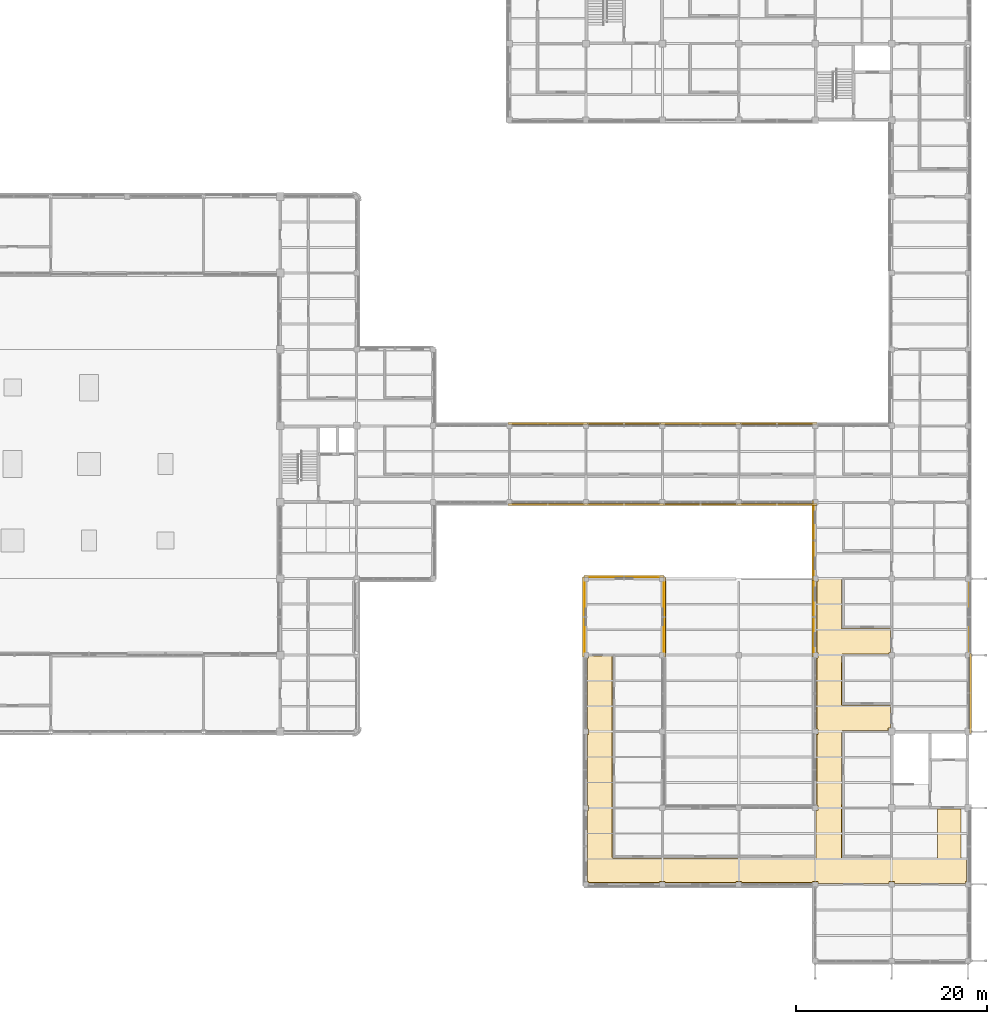
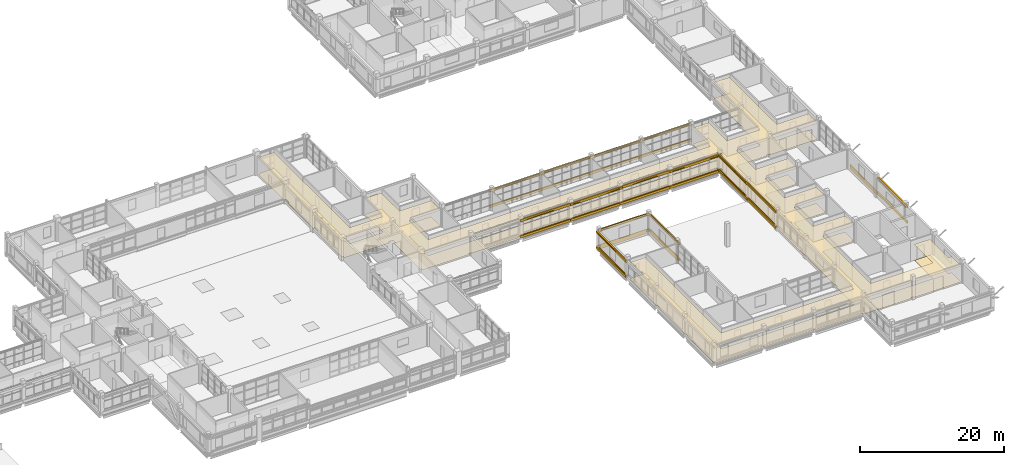
# One storey, part 103 of 107: 36 coverings, 15 shading devices.
"""IFC4 building model written with IfcOpenShell, lengths in metres."""

from ifc_helpers import new_model, si_unit, derived_unit, direction, frame, origin, origin_2d, place, context, subcontext, project, spatial, polyline, rectangle, circle, outline, extrude, material, layer, layer_set, material_profile, profile_set, type_object, element, save


model = new_model("IFC4")

# Units and contexts
model_context = context("Model", 3, precision=1e-05, world=origin(), true_north=direction((0.0, 1.0)))
body_context = subcontext(model_context, "Body", "Model", "MODEL_VIEW")
ifc_project = project(units=[si_unit("LENGTHUNIT", "METRE"), si_unit("AREAUNIT", "SQUARE_METRE"), si_unit("VOLUMEUNIT", "CUBIC_METRE"), si_unit("PLANEANGLEUNIT", "RADIAN"), si_unit("MASSUNIT", "GRAM", prefix="KILO"), derived_unit("THERMALTRANSMITTANCEUNIT", [(si_unit("MASSUNIT", "GRAM", prefix="KILO"), 1), (si_unit("TIMEUNIT", "SECOND"), -3), (si_unit("THERMODYNAMICTEMPERATUREUNIT", "KELVIN"), -1)])], contexts=[model_context])

# Site, building, storey
site_placement = place(None, origin())
site = spatial("IfcSite", under=ifc_project, at=site_placement, CompositionType="ELEMENT")
building_placement = place(site_placement, origin())
building = spatial("IfcBuilding", under=site, at=building_placement, Name="Veyamyaing Civic Hall", CompositionType="ELEMENT")
storey_placement = place(building_placement, frame((0.0, 0.0, 13.860107421875)))
storey = spatial("IfcBuildingStorey", under=building, at=storey_placement, Name="L03", CompositionType="ELEMENT", Elevation=13.860107421875)

# Coverings
ifc_material_1 = material(Name="Buff sandstone ashlar cladding", Category="masonry")
ifc_layer_1 = layer(ifc_material_1, 0.050048828125, Name="Buff sandstone ashlar cladding")
ifc_layer_set_1 = layer_set([ifc_layer_1], Name="Buff sandstone ashlar cladding")
covering_type_1 = type_object("IfcCoveringType", Name="CL-01", PredefinedType="CLADDING", material=ifc_layer_set_1)
for number, where, z_axis, x_axis, name in (
    (1, (140.0, 40.156005859375, 0.044921875), (0.0, 0.0, 1.0), (1.0, 0.0, 0.0), "Facade spandrel cladding CL-01 L03 N 18.5"),
    (2, (135.843994140625, 36.0, 0.044921875), (0.0, 0.0, 1.0), (0.0, 1.0, 0.0), "Facade spandrel cladding CL-01 L03 W 18.5"),
    (3, (144.156005859375, 36.0, 0.044921875), (0.0, 0.0, 1.0), (0.0, 1.0, 0.0), "Facade spandrel cladding CL-01 L03 E 18.5"),
    (4, (159.839111328125, 44.0, 0.044921875), (0.0, 0.0, 1.0), (0.0, 1.0, 0.0), "Facade spandrel cladding CL-01 L03 W 21.6"),
    (5, (176.156005859375, 36.0, 0.044921875), (0.0, 0.0, 1.0), (0.0, 1.0, 0.0), "Facade spandrel cladding CL-01 L03 E 22.5"),
):
    element("IfcCovering", number, at=place(storey_placement, frame(where, z_axis=z_axis, x_axis=x_axis)), inside=storey, type_object=covering_type_1, Name=name, PredefinedType="CLADDING", context=body_context, shape_type="SweptSolid", body=[
        extrude(rectangle(XDim=7.39990234375, YDim=0.050048828125, at=origin_2d()), origin(), (0.0, 0.0, 1.0), 0.75),
    ])
ifc_material_2 = material(Name="Turquoise glazed ceramic tile cladding", Category="masonry")
ifc_layer_2 = layer(ifc_material_2, 0.034912109375, Name="Turquoise glazed ceramic tile cladding")
ifc_layer_set_2 = layer_set([ifc_layer_2], Name="Turquoise glazed ceramic tile cladding")
covering_type_2 = type_object("IfcCoveringType", Name="CL-02", PredefinedType="CLADDING", material=ifc_layer_set_2)
covering_1_placement = place(storey_placement, frame((159.8515625, 36.0, 0.044921875), z_axis=(0.0, 0.0, 1.0), x_axis=(0.0, 1.0, 0.0)))
element("IfcCovering", 6, at=covering_1_placement, inside=storey, type_object=covering_type_2, Name="Facade spandrel cladding CL-02 L03 W 21.5", PredefinedType="CLADDING", context=body_context, shape_type="SweptSolid", body=[
    extrude(rectangle(XDim=7.39990234375, YDim=0.034912109375, at=origin_2d()), origin(), (0.0, 0.0, 1.0), 0.75),
])
ifc_material_3 = material(Name="White powder-coated aluminium 6063-T6", Category="aluminium")
ifc_layer_3 = layer(ifc_material_3, 0.2099609375, Name="White powder-coated aluminium 6063-T6")
ifc_layer_set_3 = layer_set([ifc_layer_3], Name="White powder-coated aluminium 6063-T6")
covering_type_3 = type_object("IfcCoveringType", Name="CL-03", PredefinedType="CLADDING", material=ifc_layer_set_3)
for number, where, z_axis, x_axis, name in (
    (7, (132.0, 47.760009765625, 2.98388671875), (0.0, 0.0, 1.0), (1.0, 0.0, 0.0), "Continuous white head fascia ribbon CL-03 L03 S 17.7"),
    (8, (132.0, 47.760009765625, 0.280029296875), (0.0, 0.0, 1.0), (1.0, 0.0, 0.0), "Continuous white sill fascia ribbon CL-03 L03 S 17.7"),
    (9, (132.0, 56.239990234375, 2.923828125), (0.0, 0.0, 1.0), (1.0, 0.0, 0.0), "Continuous white head fascia ribbon CL-03 L03 N 17.7"),
    (10, (132.0, 56.239990234375, 0.280029296875), (0.0, 0.0, 1.0), (1.0, 0.0, 0.0), "Continuous white sill fascia ribbon CL-03 L03 N 17.7"),
    (11, (140.0, 40.239990234375, 2.97900390625), (0.0, 0.0, 1.0), (1.0, 0.0, 0.0), "Continuous white head fascia ribbon CL-03 L03 N 18.5"),
    (12, (140.0, 40.239990234375, 0.280029296875), (0.0, 0.0, 1.0), (1.0, 0.0, 0.0), "Continuous white sill fascia ribbon CL-03 L03 N 18.5"),
    (13, (135.760009765625, 36.0, 2.9150390625), (0.0, 0.0, 1.0), (0.0, 1.0, 0.0), "Continuous white head fascia ribbon CL-03 L03 W 18.5"),
    (14, (135.760009765625, 36.0, 0.280029296875), (0.0, 0.0, 1.0), (0.0, 1.0, 0.0), "Continuous white sill fascia ribbon CL-03 L03 W 18.5"),
    (15, (144.239990234375, 36.0, 2.97900390625), (0.0, 0.0, 1.0), (0.0, 1.0, 0.0), "Continuous white head fascia ribbon CL-03 L03 E 18.5"),
    (16, (144.239990234375, 36.0, 0.280029296875), (0.0, 0.0, 1.0), (0.0, 1.0, 0.0), "Continuous white sill fascia ribbon CL-03 L03 E 18.5"),
    (17, (140.0, 47.760009765625, 2.923828125), (0.0, 0.0, 1.0), (1.0, 0.0, 0.0), "Continuous white head fascia ribbon CL-03 L03 S 18.7"),
    (18, (140.0, 47.760009765625, 0.280029296875), (0.0, 0.0, 1.0), (1.0, 0.0, 0.0), "Continuous white sill fascia ribbon CL-03 L03 S 18.7"),
    (19, (140.0, 56.239990234375, 2.987060546875), (0.0, 0.0, 1.0), (1.0, 0.0, 0.0), "Continuous white head fascia ribbon CL-03 L03 N 18.7"),
    (20, (140.0, 56.239990234375, 0.280029296875), (0.0, 0.0, 1.0), (1.0, 0.0, 0.0), "Continuous white sill fascia ribbon CL-03 L03 N 18.7"),
    (21, (148.0, 47.760009765625, 2.987060546875), (0.0, 0.0, 1.0), (1.0, 0.0, 0.0), "Continuous white head fascia ribbon CL-03 L03 S 19.7"),
    (22, (148.0, 47.760009765625, 0.280029296875), (0.0, 0.0, 1.0), (1.0, 0.0, 0.0), "Continuous white sill fascia ribbon CL-03 L03 S 19.7"),
    (23, (148.0, 56.239990234375, 2.919921875), (0.0, 0.0, 1.0), (1.0, 0.0, 0.0), "Continuous white head fascia ribbon CL-03 L03 N 19.7"),
    (24, (148.0, 56.239990234375, 0.280029296875), (0.0, 0.0, 1.0), (1.0, 0.0, 0.0), "Continuous white sill fascia ribbon CL-03 L03 N 19.7"),
    (25, (156.0, 47.760009765625, 2.919921875), (0.0, 0.0, 1.0), (1.0, 0.0, 0.0), "Continuous white head fascia ribbon CL-03 L03 S 20.7"),
    (26, (156.0, 47.760009765625, 0.280029296875), (0.0, 0.0, 1.0), (1.0, 0.0, 0.0), "Continuous white sill fascia ribbon CL-03 L03 S 20.7"),
    (27, (156.0, 56.239990234375, 2.98388671875), (0.0, 0.0, 1.0), (1.0, 0.0, 0.0), "Continuous white head fascia ribbon CL-03 L03 N 20.7"),
    (28, (156.0, 56.239990234375, 0.280029296875), (0.0, 0.0, 1.0), (1.0, 0.0, 0.0), "Continuous white sill fascia ribbon CL-03 L03 N 20.7"),
    (29, (159.760009765625, 36.0, 2.991943359375), (0.0, 0.0, 1.0), (0.0, 1.0, 0.0), "Continuous white head fascia ribbon CL-03 L03 W 21.5"),
    (30, (159.760009765625, 36.0, 0.280029296875), (0.0, 0.0, 1.0), (0.0, 1.0, 0.0), "Continuous white sill fascia ribbon CL-03 L03 W 21.5"),
    (31, (159.760009765625, 44.0, 2.925048828125), (0.0, 0.0, 1.0), (0.0, 1.0, 0.0), "Continuous white head fascia ribbon CL-03 L03 W 21.6"),
    (32, (159.760009765625, 44.0, 0.280029296875), (0.0, 0.0, 1.0), (0.0, 1.0, 0.0), "Continuous white sill fascia ribbon CL-03 L03 W 21.6"),
    (33, (176.239990234375, 28.0, 2.9150390625), (0.0, 0.0, 1.0), (0.0, 1.0, 0.0), "Continuous white head fascia ribbon CL-03 L03 E 22.4"),
    (34, (176.239990234375, 28.0, 0.280029296875), (0.0, 0.0, 1.0), (0.0, 1.0, 0.0), "Continuous white sill fascia ribbon CL-03 L03 E 22.4"),
):
    element("IfcCovering", number, at=place(storey_placement, frame(where, z_axis=z_axis, x_axis=x_axis)), inside=storey, type_object=covering_type_3, Name=name, PredefinedType="CLADDING", context=body_context, shape_type="SweptSolid", body=[
        extrude(rectangle(XDim=8.360107421875, YDim=0.2099609375, at=origin_2d()), origin(), (0.0, 0.0, 1.0), 0.39990234375),
    ])
ifc_material_4 = material(Name="Perforated acoustic gypsum ceiling board")
ifc_layer_4 = layer(ifc_material_4, 0.02490234375, Name="Perforated acoustic gypsum ceiling board")
ifc_layer_set_4 = layer_set([ifc_layer_4], Name="Perforated acoustic gypsum ceiling board")
covering_type_4 = type_object("IfcCoveringType", Name="CLG-01", PredefinedType="CEILING", material=ifc_layer_set_4)
covering_2_placement = place(storey_placement, frame((0.0, 0.0, 2.699951171875)))
element("IfcCovering", 35, at=covering_2_placement, inside=storey, type_object=covering_type_4, Name="Acoustic suspended ceiling CLG-01 L03-C04", PredefinedType="CEILING", context=body_context, shape_type="SweptSolid", body=[
    extrude(outline(polyline([(138.77490234375, 10.8525390625), (138.78125, 10.821533203125), (138.79736328125, 10.79736328125), (138.821533203125, 10.78125), (138.8525390625, 10.77490234375), (159.998779296875, 10.77490234375), (160.013916015625, 10.776611328125), (160.03515625, 10.7841796875), (160.052734375, 10.797119140625), (160.06591796875, 10.814697265625), (160.073486328125, 10.8359375), (160.074951171875, 10.851318359375), (160.074951171875, 15.739990234375), (160.260009765625, 15.739990234375), (160.260009765625, 16.260009765625), (160.155029296875, 16.260009765625), (160.155029296875, 23.739990234375), (160.260009765625, 23.739990234375), (160.260009765625, 24.260009765625), (160.155029296875, 24.260009765625), (160.155029296875, 31.739990234375), (160.260009765625, 31.739990234375), (160.260009765625, 32.260009765625), (160.155029296875, 32.260009765625), (160.155029296875, 39.739990234375), (160.260009765625, 39.739990234375), (160.260009765625, 40.260009765625), (160.155029296875, 40.260009765625), (160.155029296875, 47.739990234375), (160.260009765625, 47.739990234375), (160.260009765625, 48.260009765625), (159.739990234375, 48.260009765625), (159.739990234375, 48.155029296875), (152.260009765625, 48.155029296875), (152.260009765625, 48.260009765625), (151.739990234375, 48.260009765625), (151.739990234375, 48.155029296875), (144.260009765625, 48.155029296875), (144.260009765625, 48.260009765625), (143.739990234375, 48.260009765625), (143.739990234375, 48.155029296875), (136.260009765625, 48.155029296875), (136.260009765625, 48.260009765625), (135.739990234375, 48.260009765625), (135.739990234375, 48.155029296875), (128.260009765625, 48.155029296875), (128.260009765625, 48.260009765625), (127.739990234375, 48.260009765625), (127.739990234375, 48.155029296875), (120.260009765625, 48.155029296875), (120.260009765625, 48.260009765625), (119.739990234375, 48.260009765625), (119.739990234375, 48.074951171875), (112.3349609375, 48.074951171875), (112.3349609375, 48.3349609375), (112.074951171875, 48.3349609375), (112.074951171875, 55.6650390625), (112.3349609375, 55.6650390625), (112.3349609375, 56.3349609375), (111.6650390625, 56.3349609375), (111.6650390625, 56.074951171875), (104.385009765625, 56.074951171875), (104.385009765625, 56.385009765625), (104.155029296875, 56.385009765625), (104.155029296875, 63.614990234375), (104.385009765625, 63.614990234375), (104.385009765625, 64.385009765625), (104.155029296875, 64.385009765625), (104.155029296875, 71.614990234375), (104.385009765625, 71.614990234375), (104.385009765625, 72.385009765625), (104.074951171875, 72.385009765625), (104.074951171875, 79.614990234375), (104.385009765625, 79.614990234375), (104.385009765625, 79.844970703125), (106.77490234375, 79.844970703125), (106.77490234375, 58.851806640625), (106.778564453125, 58.828369140625), (106.7880859375, 58.807861328125), (106.796630859375, 58.797607421875), (106.815185546875, 58.78369140625), (106.82763671875, 58.778564453125), (106.851806640625, 58.77490234375), (111.998291015625, 58.77490234375), (112.021728515625, 58.778564453125), (112.0419921875, 58.7880859375), (112.052490234375, 58.796630859375), (112.06640625, 58.815185546875), (112.0712890625, 58.82763671875), (112.074951171875, 58.851806640625), (112.074951171875, 63.739990234375), (112.260009765625, 63.739990234375), (112.260009765625, 63.844970703125), (114.77490234375, 63.844970703125), (114.77490234375, 58.8525390625), (114.78125, 58.821533203125), (114.79736328125, 58.79736328125), (114.821533203125, 58.78125), (114.8525390625, 58.77490234375), (119.844970703125, 58.77490234375), (119.844970703125, 56.260009765625), (119.739990234375, 56.260009765625), (119.739990234375, 56.074951171875), (114.851806640625, 56.074951171875), (114.82763671875, 56.0712890625), (114.815185546875, 56.06640625), (114.796630859375, 56.052490234375), (114.7880859375, 56.0419921875), (114.778564453125, 56.021728515625), (114.77490234375, 55.998291015625), (114.77490234375, 50.8525390625), (114.78125, 50.82080078125), (114.792236328125, 50.802490234375), (114.80810546875, 50.788330078125), (114.83544921875, 50.77685546875), (160.006103515625, 50.775390625), (160.03515625, 50.7841796875), (160.05810546875, 50.80322265625), (160.068603515625, 50.82080078125), (160.074951171875, 50.8525390625), (160.074951171875, 55.739990234375), (160.260009765625, 55.739990234375), (160.260009765625, 55.844970703125), (162.77490234375, 55.844970703125), (162.77490234375, 50.851318359375), (162.776611328125, 50.8359375), (162.7841796875, 50.814208984375), (162.791748046875, 50.802978515625), (162.80859375, 50.787841796875), (162.828369140625, 50.778564453125), (162.851806640625, 50.77490234375), (168.01513671875, 50.77685546875), (168.03466796875, 50.783935546875), (168.05810546875, 50.80322265625), (168.068603515625, 50.82080078125), (168.074951171875, 50.8525390625), (168.074951171875, 55.739990234375), (168.260009765625, 55.739990234375), (168.260009765625, 56.260009765625), (168.155029296875, 56.260009765625), (168.155029296875, 63.739990234375), (168.260009765625, 63.739990234375), (168.260009765625, 63.925048828125), (170.77490234375, 63.925048828125), (170.77490234375, 50.851806640625), (170.778564453125, 50.828369140625), (170.787841796875, 50.80859375), (170.80224609375, 50.792724609375), (170.8291015625, 50.7783203125), (170.851806640625, 50.77490234375), (175.844970703125, 50.77490234375), (175.844970703125, 48.260009765625), (175.739990234375, 48.260009765625), (175.739990234375, 48.074951171875), (168.260009765625, 48.074951171875), (168.260009765625, 48.260009765625), (167.739990234375, 48.260009765625), (167.739990234375, 48.074951171875), (162.851806640625, 48.074951171875), (162.8291015625, 48.071533203125), (162.80224609375, 48.057373046875), (162.787841796875, 48.04150390625), (162.778564453125, 48.021728515625), (162.77490234375, 47.998291015625), (162.77490234375, 42.8525390625), (162.78125, 42.821533203125), (162.79736328125, 42.79736328125), (162.821533203125, 42.78125), (162.8525390625, 42.77490234375), (167.925048828125, 42.77490234375), (167.925048828125, 40.260009765625), (167.739990234375, 40.260009765625), (167.739990234375, 40.074951171875), (162.851318359375, 40.074951171875), (162.8359375, 40.073486328125), (162.814208984375, 40.065673828125), (162.802978515625, 40.05810546875), (162.787841796875, 40.04150390625), (162.778564453125, 40.021728515625), (162.77490234375, 39.998291015625), (162.77490234375, 34.851806640625), (162.778564453125, 34.828369140625), (162.787841796875, 34.80859375), (162.80224609375, 34.792724609375), (162.8291015625, 34.7783203125), (162.851806640625, 34.77490234375), (167.925048828125, 34.77490234375), (167.925048828125, 32.260009765625), (167.739990234375, 32.260009765625), (167.739990234375, 32.074951171875), (162.8525390625, 32.074951171875), (162.821533203125, 32.06884765625), (162.79736328125, 32.052734375), (162.78125, 32.028564453125), (162.77490234375, 31.99755859375), (162.77685546875, 26.8349609375), (162.783935546875, 26.8154296875), (162.802734375, 26.79248046875), (162.8291015625, 26.7783203125), (162.851806640625, 26.77490234375), (167.925048828125, 26.77490234375), (167.925048828125, 24.3349609375), (167.6650390625, 24.3349609375), (167.6650390625, 24.074951171875), (162.851806640625, 24.074951171875), (162.828369140625, 24.071533203125), (162.80859375, 24.06201171875), (162.792236328125, 24.04736328125), (162.78125, 24.029296875), (162.77490234375, 23.99755859375), (162.775390625, 10.843994140625), (162.7841796875, 10.81494140625), (162.802734375, 10.79248046875), (162.8291015625, 10.7783203125), (162.851806640625, 10.77490234375), (172.697509765625, 10.77490234375), (172.729248046875, 10.78125), (172.747314453125, 10.792236328125), (172.76220703125, 10.80859375), (172.771484375, 10.828369140625), (172.77490234375, 10.851806640625), (172.77490234375, 15.925048828125), (175.27490234375, 15.925048828125), (175.275390625, 10.84326171875), (175.281005859375, 10.8212890625), (175.2919921875, 10.80322265625), (175.3154296875, 10.783935546875), (175.3349609375, 10.77685546875), (175.844970703125, 10.77490234375), (175.844970703125, 8.260009765625), (175.739990234375, 8.260009765625), (175.739990234375, 8.074951171875), (168.260009765625, 8.074951171875), (168.260009765625, 8.260009765625), (167.739990234375, 8.260009765625), (167.739990234375, 8.074951171875), (160.260009765625, 8.074951171875), (160.260009765625, 8.260009765625), (159.739990234375, 8.260009765625), (159.739990234375, 8.155029296875), (152.260009765625, 8.155029296875), (152.260009765625, 8.260009765625), (151.739990234375, 8.260009765625), (151.739990234375, 8.155029296875), (144.260009765625, 8.155029296875), (144.260009765625, 8.260009765625), (143.739990234375, 8.260009765625), (143.739990234375, 8.155029296875), (136.260009765625, 8.155029296875), (136.260009765625, 8.260009765625), (136.155029296875, 8.260009765625), (136.155029296875, 15.739990234375), (136.260009765625, 15.739990234375), (136.260009765625, 16.260009765625), (136.155029296875, 16.260009765625), (136.155029296875, 23.739990234375), (136.260009765625, 23.739990234375), (136.260009765625, 24.260009765625), (136.155029296875, 24.260009765625), (136.155029296875, 31.739990234375), (136.260009765625, 31.739990234375), (136.260009765625, 31.925048828125), (138.77490234375, 31.925048828125), (138.77490234375, 10.8525390625)])), origin(), (0.0, 0.0, 1.0), 0.02490234375),
])
ifc_material_5 = material(Name="Polished Mandalay marble and terrazzo flooring", Category="masonry")
ifc_layer_5 = layer(ifc_material_5, 0.030029296875, Name="Polished Mandalay marble and terrazzo flooring")
ifc_layer_set_5 = layer_set([ifc_layer_5], Name="Polished Mandalay marble and terrazzo flooring")
covering_type_5 = type_object("IfcCoveringType", Name="FLR-01", PredefinedType="FLOORING", material=ifc_layer_set_5)
covering_3_placement = place(storey_placement, origin())
element("IfcCovering", 36, at=covering_3_placement, inside=storey, type_object=covering_type_5, Name="Stone and terrazzo flooring FLR-01 L03-C04", PredefinedType="FLOORING", context=body_context, shape_type="SweptSolid", body=[
    extrude(outline(polyline([(138.75, 10.85009765625), (138.757568359375, 10.811767578125), (138.779296875, 10.779296875), (138.811767578125, 10.757568359375), (138.85009765625, 10.75), (160.0, 10.75), (160.01953125, 10.751953125), (160.047119140625, 10.76171875), (160.07080078125, 10.779296875), (160.088134765625, 10.802978515625), (160.09814453125, 10.83056640625), (160.10009765625, 10.85009765625), (160.10009765625, 15.715087890625), (160.284912109375, 15.715087890625), (160.284912109375, 16.284912109375), (160.179931640625, 16.284912109375), (160.179931640625, 23.715087890625), (160.284912109375, 23.715087890625), (160.284912109375, 24.284912109375), (160.179931640625, 24.284912109375), (160.179931640625, 31.715087890625), (160.284912109375, 31.715087890625), (160.284912109375, 32.284912109375), (160.179931640625, 32.284912109375), (160.179931640625, 39.715087890625), (160.284912109375, 39.715087890625), (160.284912109375, 40.284912109375), (160.179931640625, 40.284912109375), (160.179931640625, 47.715087890625), (160.284912109375, 47.715087890625), (160.284912109375, 48.284912109375), (159.715087890625, 48.284912109375), (159.715087890625, 48.179931640625), (152.284912109375, 48.179931640625), (152.284912109375, 48.284912109375), (151.715087890625, 48.284912109375), (151.715087890625, 48.179931640625), (144.284912109375, 48.179931640625), (144.284912109375, 48.284912109375), (143.715087890625, 48.284912109375), (143.715087890625, 48.179931640625), (136.284912109375, 48.179931640625), (136.284912109375, 48.284912109375), (135.715087890625, 48.284912109375), (135.715087890625, 48.179931640625), (128.284912109375, 48.179931640625), (128.284912109375, 48.284912109375), (127.715087890625, 48.284912109375), (127.715087890625, 48.179931640625), (120.284912109375, 48.179931640625), (120.284912109375, 48.284912109375), (119.715087890625, 48.284912109375), (119.715087890625, 48.10009765625), (112.360107421875, 48.10009765625), (112.360107421875, 48.360107421875), (112.10009765625, 48.360107421875), (112.10009765625, 55.639892578125), (112.360107421875, 55.639892578125), (112.360107421875, 56.360107421875), (111.639892578125, 56.360107421875), (111.639892578125, 56.10009765625), (104.409912109375, 56.10009765625), (104.409912109375, 56.409912109375), (104.179931640625, 56.409912109375), (104.179931640625, 63.590087890625), (104.409912109375, 63.590087890625), (104.409912109375, 64.409912109375), (104.179931640625, 64.409912109375), (104.179931640625, 71.590087890625), (104.409912109375, 71.590087890625), (104.409912109375, 72.409912109375), (104.10009765625, 72.409912109375), (104.10009765625, 79.590087890625), (104.409912109375, 79.590087890625), (104.409912109375, 79.820068359375), (106.75, 79.820068359375), (106.75, 58.85009765625), (106.75439453125, 58.821044921875), (106.766845703125, 58.79443359375), (106.779296875, 58.779296875), (106.802978515625, 58.76171875), (106.821044921875, 58.75439453125), (106.85009765625, 58.75), (112.0, 58.75), (112.029052734375, 58.75439453125), (112.0556640625, 58.766845703125), (112.07080078125, 58.779296875), (112.088134765625, 58.802978515625), (112.095703125, 58.821044921875), (112.10009765625, 58.85009765625), (112.10009765625, 63.715087890625), (112.284912109375, 63.715087890625), (112.284912109375, 63.820068359375), (114.75, 63.820068359375), (114.75, 58.85009765625), (114.757568359375, 58.811767578125), (114.779296875, 58.779296875), (114.811767578125, 58.757568359375), (114.85009765625, 58.75), (119.820068359375, 58.75), (119.820068359375, 56.284912109375), (119.715087890625, 56.284912109375), (119.715087890625, 56.10009765625), (114.85009765625, 56.10009765625), (114.821044921875, 56.095703125), (114.802978515625, 56.088134765625), (114.779296875, 56.07080078125), (114.766845703125, 56.0556640625), (114.75439453125, 56.029052734375), (114.75, 56.0), (114.75, 50.85009765625), (114.757568359375, 50.811767578125), (114.772705078125, 50.78662109375), (114.79443359375, 50.766845703125), (114.83056640625, 50.751953125), (160.009765625, 50.75048828125), (160.047119140625, 50.76171875), (160.077392578125, 50.78662109375), (160.09228515625, 50.811767578125), (160.10009765625, 50.85009765625), (160.10009765625, 55.715087890625), (160.284912109375, 55.715087890625), (160.284912109375, 55.820068359375), (162.75, 55.820068359375), (162.75, 50.85009765625), (162.751953125, 50.83056640625), (162.76171875, 50.802978515625), (162.772705078125, 50.78662109375), (162.79443359375, 50.766845703125), (162.821044921875, 50.75439453125), (162.85009765625, 50.75), (168.01953125, 50.751953125), (168.047119140625, 50.76171875), (168.077392578125, 50.78662109375), (168.09228515625, 50.811767578125), (168.10009765625, 50.85009765625), (168.10009765625, 55.715087890625), (168.284912109375, 55.715087890625), (168.284912109375, 56.284912109375), (168.179931640625, 56.284912109375), (168.179931640625, 63.715087890625), (168.284912109375, 63.715087890625), (168.284912109375, 63.89990234375), (170.75, 63.89990234375), (170.75, 50.85009765625), (170.75439453125, 50.821044921875), (170.766845703125, 50.79443359375), (170.78662109375, 50.772705078125), (170.821044921875, 50.75439453125), (170.85009765625, 50.75), (175.820068359375, 50.75), (175.820068359375, 48.284912109375), (175.715087890625, 48.284912109375), (175.715087890625, 48.10009765625), (168.284912109375, 48.10009765625), (168.284912109375, 48.284912109375), (167.715087890625, 48.284912109375), (167.715087890625, 48.10009765625), (162.85009765625, 48.10009765625), (162.821044921875, 48.095703125), (162.78662109375, 48.077392578125), (162.766845703125, 48.0556640625), (162.75439453125, 48.029052734375), (162.75, 48.0), (162.75, 42.85009765625), (162.757568359375, 42.811767578125), (162.779296875, 42.779296875), (162.811767578125, 42.757568359375), (162.85009765625, 42.75), (167.89990234375, 42.75), (167.89990234375, 40.284912109375), (167.715087890625, 40.284912109375), (167.715087890625, 40.10009765625), (162.85009765625, 40.10009765625), (162.83056640625, 40.09814453125), (162.802978515625, 40.088134765625), (162.78662109375, 40.077392578125), (162.766845703125, 40.0556640625), (162.75439453125, 40.029052734375), (162.75, 40.0), (162.75, 34.85009765625), (162.75439453125, 34.821044921875), (162.766845703125, 34.79443359375), (162.78662109375, 34.772705078125), (162.821044921875, 34.75439453125), (162.85009765625, 34.75), (167.89990234375, 34.75), (167.89990234375, 32.284912109375), (167.715087890625, 32.284912109375), (167.715087890625, 32.10009765625), (162.85009765625, 32.10009765625), (162.811767578125, 32.09228515625), (162.779296875, 32.07080078125), (162.757568359375, 32.038330078125), (162.75, 32.0), (162.751953125, 26.83056640625), (162.76171875, 26.802978515625), (162.78662109375, 26.772705078125), (162.821044921875, 26.75439453125), (162.85009765625, 26.75), (167.89990234375, 26.75), (167.89990234375, 24.360107421875), (167.639892578125, 24.360107421875), (167.639892578125, 24.10009765625), (162.85009765625, 24.10009765625), (162.821044921875, 24.095703125), (162.79443359375, 24.0830078125), (162.772705078125, 24.0634765625), (162.757568359375, 24.038330078125), (162.75, 24.0), (162.75048828125, 10.840087890625), (162.76171875, 10.802978515625), (162.78662109375, 10.772705078125), (162.821044921875, 10.75439453125), (162.85009765625, 10.75), (172.699951171875, 10.75), (172.73828125, 10.757568359375), (172.763427734375, 10.772705078125), (172.783203125, 10.79443359375), (172.795654296875, 10.821044921875), (172.800048828125, 10.85009765625), (172.800048828125, 15.89990234375), (175.25, 15.89990234375), (175.25048828125, 10.840087890625), (175.257568359375, 10.811767578125), (175.272705078125, 10.78662109375), (175.302978515625, 10.76171875), (175.33056640625, 10.751953125), (175.820068359375, 10.75), (175.820068359375, 8.284912109375), (175.715087890625, 8.284912109375), (175.715087890625, 8.10009765625), (168.284912109375, 8.10009765625), (168.284912109375, 8.284912109375), (167.715087890625, 8.284912109375), (167.715087890625, 8.10009765625), (160.284912109375, 8.10009765625), (160.284912109375, 8.284912109375), (159.715087890625, 8.284912109375), (159.715087890625, 8.179931640625), (152.284912109375, 8.179931640625), (152.284912109375, 8.284912109375), (151.715087890625, 8.284912109375), (151.715087890625, 8.179931640625), (144.284912109375, 8.179931640625), (144.284912109375, 8.284912109375), (143.715087890625, 8.284912109375), (143.715087890625, 8.179931640625), (136.284912109375, 8.179931640625), (136.284912109375, 8.284912109375), (136.179931640625, 8.284912109375), (136.179931640625, 15.715087890625), (136.284912109375, 15.715087890625), (136.284912109375, 16.284912109375), (136.179931640625, 16.284912109375), (136.179931640625, 23.715087890625), (136.284912109375, 23.715087890625), (136.284912109375, 24.284912109375), (136.179931640625, 24.284912109375), (136.179931640625, 31.715087890625), (136.284912109375, 31.715087890625), (136.284912109375, 31.89990234375), (138.75, 31.89990234375), (138.75, 10.85009765625)])), origin(), (0.0, 0.0, 1.0), 0.02978515625),
])

# Shading devices
ifc_material_6 = material(Name="Anodised aluminium 6063-T6", Category="aluminium")
ifc_material_profile_1 = material_profile(ifc_material_6, rectangle(XDim=0.044921875, YDim=0.199951171875, at=origin_2d()), Name="LOUVRE-BLADE-45X200")
ifc_profile_set_1 = profile_set([ifc_material_profile_1], Name="Anodised aluminium 6063-T6")
shading_device_type_1 = type_object("IfcShadingDeviceType", Name="LV-02", PredefinedType="JALOUSIE", material=ifc_profile_set_1)
shading_device_1_placement = place(storey_placement, frame((176.219970703125, 24.3349609375, 2.744873046875), z_axis=(0.0, 1.0, 0.0), x_axis=(-1.0, 0.0, 0.0)))
element("IfcShadingDevice", 37, at=shading_device_1_placement, inside=storey, type_object=shading_device_type_1, Name="Monsoon solar louvre LV-02 L03 E 22.4", PredefinedType="JALOUSIE", context=body_context, shape_type="SweptSolid", body=[
    extrude(rectangle(XDim=0.044921875, YDim=0.199951171875, at=origin_2d()), origin(), (0.0, 0.0, 1.0), 7.405029296875),
])
ifc_material_profile_2 = material_profile(ifc_material_3, circle(Radius=0.090087890625, at=origin_2d()), Name="SHADE-TUBE-180")
ifc_profile_set_2 = profile_set([ifc_material_profile_2], Name="White powder-coated aluminium 6063-T6")
shading_device_type_2 = type_object("IfcShadingDeviceType", Name="SH-02", PredefinedType="USERDEFINED", material=ifc_profile_set_2)
for number, where, z_axis, x_axis, name in (
    (38, (128.260009765625, 47.760009765625, 3.143798828125), (1.0, 0.0, 0.0), (0.0, 1.0, 0.0), "Horizontal white sunshade ribbon SH-02 L03 S 17.7"),
    (39, (128.260009765625, 56.239990234375, 3.083984375), (1.0, 0.0, 0.0), (0.0, 1.0, 0.0), "Horizontal white sunshade ribbon SH-02 L03 N 17.7"),
    (40, (136.260009765625, 40.239990234375, 3.138916015625), (1.0, 0.0, 0.0), (0.0, 1.0, 0.0), "Horizontal white sunshade ribbon SH-02 L03 N 18.5"),
    (41, (135.760009765625, 32.260009765625, 3.074951171875), (0.0, 1.0, 0.0), (-1.0, 0.0, 0.0), "Horizontal white sunshade ribbon SH-02 L03 W 18.5"),
    (42, (144.239990234375, 32.260009765625, 3.138916015625), (0.0, 1.0, 0.0), (-1.0, 0.0, 0.0), "Horizontal white sunshade ribbon SH-02 L03 E 18.5"),
    (43, (136.260009765625, 47.760009765625, 3.083984375), (1.0, 0.0, 0.0), (0.0, 1.0, 0.0), "Horizontal white sunshade ribbon SH-02 L03 S 18.7"),
    (44, (136.260009765625, 56.239990234375, 3.14697265625), (1.0, 0.0, 0.0), (0.0, 1.0, 0.0), "Horizontal white sunshade ribbon SH-02 L03 N 18.7"),
    (45, (144.260009765625, 47.760009765625, 3.14697265625), (1.0, 0.0, 0.0), (0.0, 1.0, 0.0), "Horizontal white sunshade ribbon SH-02 L03 S 19.7"),
    (46, (144.260009765625, 56.239990234375, 3.079833984375), (1.0, 0.0, 0.0), (0.0, 1.0, 0.0), "Horizontal white sunshade ribbon SH-02 L03 N 19.7"),
    (47, (152.260009765625, 47.760009765625, 3.079833984375), (1.0, 0.0, 0.0), (0.0, 1.0, 0.0), "Horizontal white sunshade ribbon SH-02 L03 S 20.7"),
    (48, (152.260009765625, 56.239990234375, 3.143798828125), (1.0, 0.0, 0.0), (0.0, 1.0, 0.0), "Horizontal white sunshade ribbon SH-02 L03 N 20.7"),
    (49, (159.760009765625, 32.260009765625, 3.15185546875), (0.0, 1.0, 0.0), (-1.0, 0.0, 0.0), "Horizontal white sunshade ribbon SH-02 L03 W 21.5"),
    (50, (159.760009765625, 40.260009765625, 3.0849609375), (0.0, 1.0, 0.0), (-1.0, 0.0, 0.0), "Horizontal white sunshade ribbon SH-02 L03 W 21.6"),
):
    element("IfcShadingDevice", number, at=place(storey_placement, frame(where, z_axis=z_axis, x_axis=x_axis)), inside=storey, type_object=shading_device_type_2, Name=name, ObjectType="SUNSHADE", PredefinedType="USERDEFINED", context=body_context, shape_type="SweptSolid", body=[
        extrude(circle(Radius=0.090087890625, at=origin_2d()), origin(), (0.0, 0.0, 1.0), 7.47998046875),
    ])
shading_device_2_placement = place(storey_placement, frame((176.239990234375, 24.3349609375, 3.074951171875), z_axis=(0.0, 1.0, 0.0), x_axis=(-1.0, 0.0, 0.0)))
element("IfcShadingDevice", 51, at=shading_device_2_placement, inside=storey, type_object=shading_device_type_2, Name="Horizontal white sunshade ribbon SH-02 L03 E 22.4", ObjectType="SUNSHADE", PredefinedType="USERDEFINED", context=body_context, shape_type="SweptSolid", body=[
    extrude(circle(Radius=0.090087890625, at=origin_2d()), origin(), (0.0, 0.0, 1.0), 7.405029296875),
])

save(model, "model.ifc")
